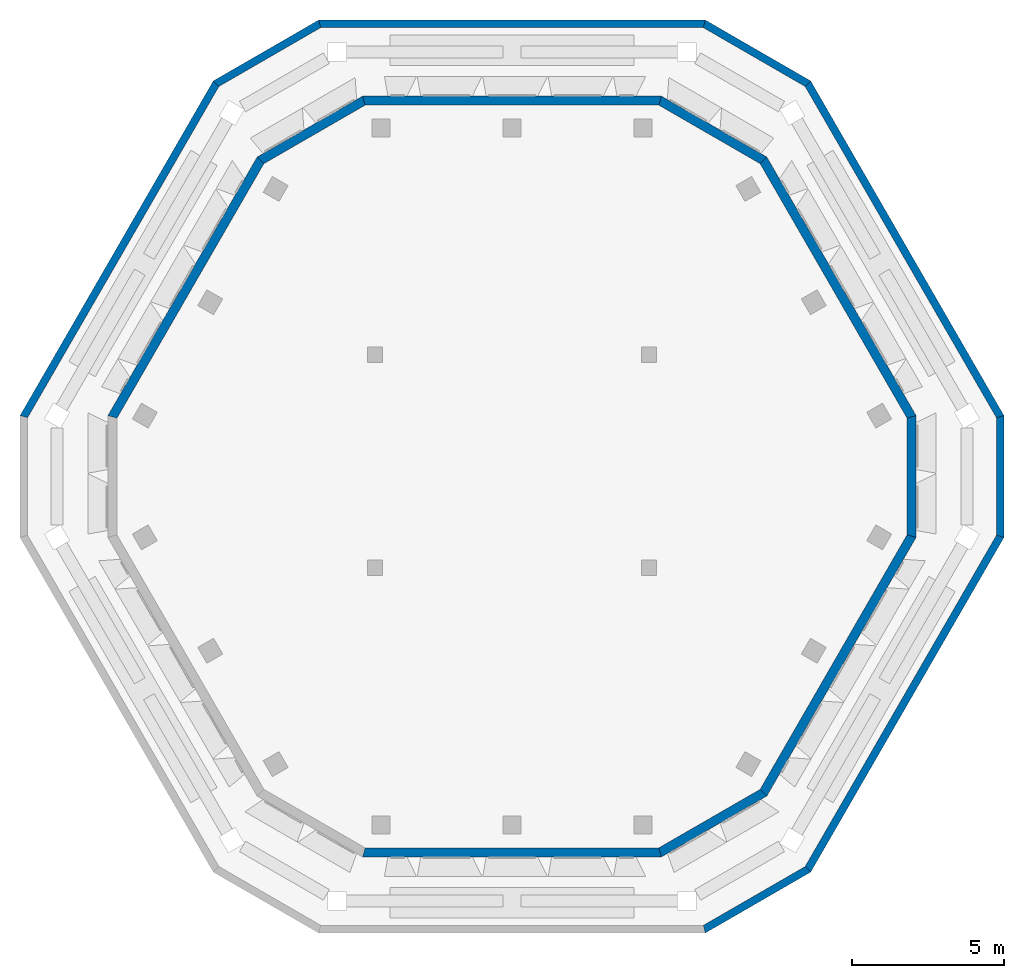
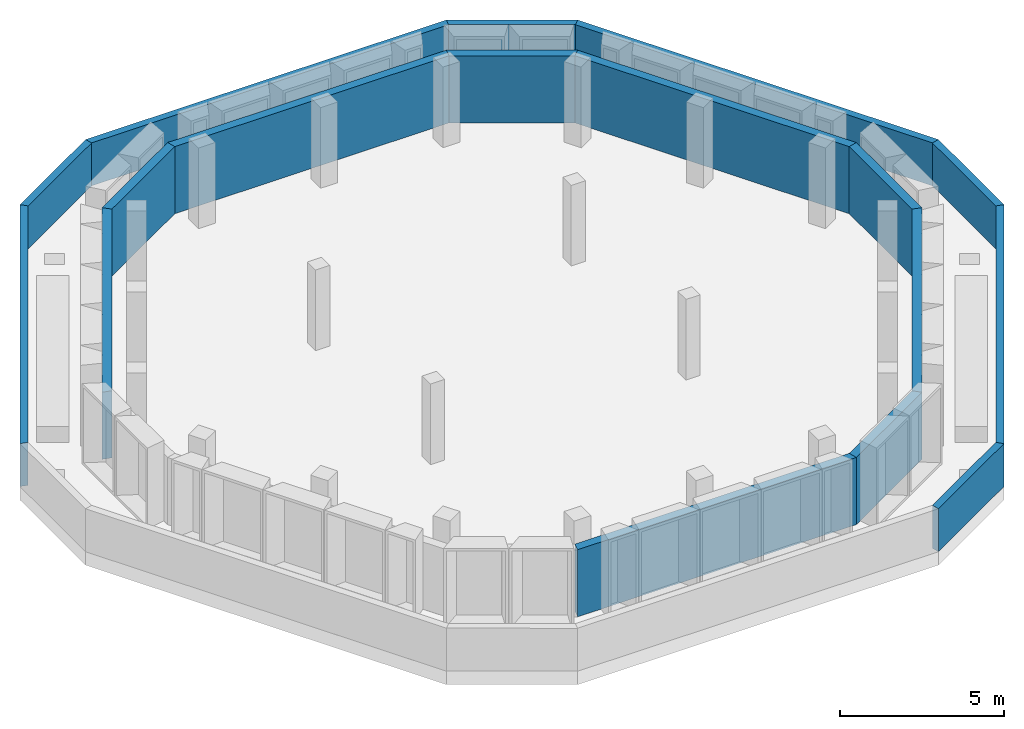
# One storey, part 2 of 4: 17 walls.
"""IFC4 building model written with IfcOpenShell, lengths in metres."""

from ifc_helpers import new_model, si_unit, direction, frame, origin, place, context, subcontext, project, spatial, polyline, outline, extrude, material, layer, layer_set, type_object, element, save


model = new_model("IFC4")

# Units and contexts
model_context = context("Model", 3, precision=1e-05, world=origin(), true_north=direction((0.0, 1.0)))
body_context = subcontext(model_context, "Body", "Model", "MODEL_VIEW")
ifc_project = project(units=[si_unit("LENGTHUNIT", "METRE"), si_unit("AREAUNIT", "SQUARE_METRE"), si_unit("VOLUMEUNIT", "CUBIC_METRE"), si_unit("PLANEANGLEUNIT", "RADIAN"), si_unit("MASSUNIT", "GRAM", prefix="KILO")], contexts=[model_context])

# Site, building, storey
site_placement = place(None, origin())
site = spatial("IfcSite", under=ifc_project, at=site_placement, CompositionType="ELEMENT")
building_placement = place(site_placement, origin())
building = spatial("IfcBuilding", under=site, at=building_placement, Name="Beryl Residences", CompositionType="ELEMENT")
storey_placement = place(building_placement, frame((0.0, 0.0, 253.800048828125)))
storey = spatial("IfcBuildingStorey", under=building, at=storey_placement, Name="L79", CompositionType="ELEMENT", Elevation=253.800048828125)

# Walls
ifc_material_1 = material(Name="Composite metal panel with mineral wool insulation")
ifc_layer_1 = layer(ifc_material_1, 0.300048828125)
ifc_layer_set_1 = layer_set([ifc_layer_1], Name="ES1 pale metal composite panel wall 300 mm")
wall_type_1 = type_object("IfcWallType", Name="ES1 pale metal composite panel wall 300 mm", PredefinedType="SOLIDWALL", material=ifc_layer_set_1)
wall_1_placement = place(storey_placement, frame((4.907958984375, 12.35009765625, 0.0), z_axis=(0.0, 0.0, 1.0), x_axis=(-1.0, 0.0, 0.0)))
element("IfcWall", 1, at=wall_1_placement, inside=storey, type_object=wall_type_1, Name="ES1 external wall L79 N", PredefinedType="SOLIDWALL", context=body_context, shape_type="SweptSolid", body=[
    extrude(outline(polyline([(0.0, -0.14990234375), (9.81591796875, -0.14990234375), (9.735595703125, 0.14990234375), (0.080322265625, 0.14990234375), (0.0, -0.14990234375)])), origin(), (0.0, 0.0, 1.0), 2.5),
])
wall_2_placement = place(storey_placement, frame((-4.8330078125, 12.3701171875, 0.0), z_axis=(0.0, 0.0, 1.0), x_axis=(-0.866026010844, -0.49999894854, 0.0)))
element("IfcWall", 2, at=wall_2_placement, inside=storey, type_object=wall_type_1, Name="ES1 external wall L79 N-NW", PredefinedType="SOLIDWALL", context=body_context, shape_type="SweptSolid", body=[
    extrude(outline(polyline([(0.0, -0.14990234375), (4.0, -0.14990234375), (3.919677734375, 0.14990234375), (0.080322265625, 0.14990234375), (0.0, -0.14990234375)])), origin(), (0.0, 0.0, 1.0), 2.5),
])
wall_3_placement = place(storey_placement, frame((-8.241943359375, 10.425048828125, 0.0), z_axis=(0.0, 0.0, 1.0), x_axis=(-0.499962183858, -0.866047235843, 0.0)))
element("IfcWall", 3, at=wall_3_placement, inside=storey, type_object=wall_type_1, Name="ES1 external wall L79 NW", PredefinedType="SOLIDWALL", context=body_context, shape_type="SweptSolid", body=[
    extrude(outline(polyline([(0.0, -0.14990234375), (9.814697265625, -0.14990234375), (9.734375, 0.14990234375), (0.080322265625, 0.14990234375), (0.0, -0.14990234375)])), origin(), (0.0, 0.0, 1.0), 2.5),
])
wall_4_placement = place(storey_placement, frame((-4.907958984375, -12.35009765625, 0.0), z_axis=(0.0, 0.0, 1.0), x_axis=(1.0, 0.0, 0.0)))
element("IfcWall", 4, at=wall_4_placement, inside=storey, type_object=wall_type_1, Name="ES1 external wall L79 S", PredefinedType="SOLIDWALL", context=body_context, shape_type="SweptSolid", body=[
    extrude(outline(polyline([(0.0, -0.14990234375), (9.81591796875, -0.14990234375), (9.735595703125, 0.14990234375), (0.080322265625, 0.14990234375), (0.0, -0.14990234375)])), origin(), (0.0, 0.0, 1.0), 2.5),
])
wall_5_placement = place(storey_placement, frame((4.8330078125, -12.3701171875, 0.0), z_axis=(0.0, 0.0, 1.0), x_axis=(0.866026010844, 0.49999894854, 0.0)))
element("IfcWall", 5, at=wall_5_placement, inside=storey, type_object=wall_type_1, Name="ES1 external wall L79 S-SE", PredefinedType="SOLIDWALL", context=body_context, shape_type="SweptSolid", body=[
    extrude(outline(polyline([(0.0, -0.14990234375), (4.0, -0.14990234375), (3.919677734375, 0.14990234375), (0.080322265625, 0.14990234375), (0.0, -0.14990234375)])), origin(), (0.0, 0.0, 1.0), 2.5),
])
wall_6_placement = place(storey_placement, frame((8.241943359375, -10.425048828125, 0.0), z_axis=(0.0, 0.0, 1.0), x_axis=(0.499962183858, 0.866047235843, 0.0)))
element("IfcWall", 6, at=wall_6_placement, inside=storey, type_object=wall_type_1, Name="ES1 external wall L79 SE", PredefinedType="SOLIDWALL", context=body_context, shape_type="SweptSolid", body=[
    extrude(outline(polyline([(0.0, -0.14990234375), (9.814697265625, -0.14990234375), (9.734375, 0.14990234375), (0.080322265625, 0.14990234375), (0.0, -0.14990234375)])), origin(), (0.0, 0.0, 1.0), 2.5),
])
wall_7_placement = place(storey_placement, frame((13.12890625, -2.0, 0.0), z_axis=(0.0, 0.0, 1.0), x_axis=(0.0, 1.0, 0.0)))
element("IfcWall", 7, at=wall_7_placement, inside=storey, type_object=wall_type_1, Name="ES1 external wall L79 SE-NE", PredefinedType="SOLIDWALL", context=body_context, shape_type="SweptSolid", body=[
    extrude(outline(polyline([(0.0, -0.14990234375), (4.0, -0.14990234375), (3.919677734375, 0.14990234375), (0.080322265625, 0.14990234375), (0.0, -0.14990234375)])), origin(), (0.0, 0.0, 1.0), 2.5),
])
wall_8_placement = place(storey_placement, frame((13.14892578125, 1.925048828125, 0.0), z_axis=(0.0, 0.0, 1.0), x_axis=(-0.499962183858, 0.866047235843, 0.0)))
element("IfcWall", 8, at=wall_8_placement, inside=storey, type_object=wall_type_1, Name="ES1 external wall L79 NE", PredefinedType="SOLIDWALL", context=body_context, shape_type="SweptSolid", body=[
    extrude(outline(polyline([(0.0, -0.14990234375), (9.814697265625, -0.14990234375), (9.734375, 0.14990234375), (0.080322265625, 0.14990234375), (0.0, -0.14990234375)])), origin(), (0.0, 0.0, 1.0), 2.5),
])
wall_9_placement = place(storey_placement, frame((8.297119140625, 10.3701171875, 0.0), z_axis=(0.0, 0.0, 1.0), x_axis=(-0.866026010844, 0.49999894854, 0.0)))
element("IfcWall", 9, at=wall_9_placement, inside=storey, type_object=wall_type_1, Name="ES1 external wall L79 NE-N", PredefinedType="SOLIDWALL", context=body_context, shape_type="SweptSolid", body=[
    extrude(outline(polyline([(0.0, -0.14990234375), (4.0, -0.14990234375), (3.919677734375, 0.14990234375), (0.080322265625, 0.14990234375), (0.0, -0.14990234375)])), origin(), (0.0, 0.0, 1.0), 2.5),
])
ifc_material_2 = material(Name="Precast concrete C40/50", Category="concrete")
ifc_layer_2 = layer(ifc_material_2, 0.25)
ifc_layer_set_2 = layer_set([ifc_layer_2], Name="PA1 roof parapet 250 mm")
wall_type_2 = type_object("IfcWallType", Name="PA1 roof parapet 250 mm", PredefinedType="PARAPET", material=ifc_layer_set_2)
wall_10_placement = place(storey_placement, frame((6.2890625, 14.89208984375, 0.0), z_axis=(0.0, 0.0, 1.0), x_axis=(0.865843918487, -0.50031421009, 0.0)))
element("IfcWall", 10, at=wall_10_placement, inside=storey, type_object=wall_type_2, Name="PA1 parapet L79 strip 1", PredefinedType="PARAPET", context=body_context, shape_type="SweptSolid", body=[
    extrude(outline(polyline([(0.067138671875, -0.125), (3.9326171875, -0.125), (3.99951171875, 0.125), (0.0, 0.125), (0.067138671875, -0.125)])), origin(), (0.0, 0.0, 1.0), 1.599853515625),
])
wall_11_placement = place(storey_placement, frame((9.7060546875, 12.93701171875, 0.0), z_axis=(0.0, 0.0, 1.0), x_axis=(0.500104018228, -0.865965340503, 0.0)))
element("IfcWall", 11, at=wall_11_placement, inside=storey, type_object=wall_type_2, Name="PA1 parapet L79 strip 2", PredefinedType="PARAPET", context=body_context, shape_type="SweptSolid", body=[
    extrude(outline(polyline([(0.06689453125, -0.125), (12.634521484375, -0.125), (12.701416015625, 0.125), (0.0, 0.125), (0.06689453125, -0.125)])), origin(), (0.0, 0.0, 1.0), 1.599853515625),
])
wall_12_placement = place(storey_placement, frame((16.041015625, 2.0, 0.0), z_axis=(0.0, 0.0, 1.0), x_axis=(0.0, -1.0, 0.0)))
element("IfcWall", 12, at=wall_12_placement, inside=storey, type_object=wall_type_2, Name="PA1 parapet L79 strip 3", PredefinedType="PARAPET", context=body_context, shape_type="SweptSolid", body=[
    extrude(outline(polyline([(0.06689453125, -0.125), (3.93310546875, -0.125), (4.0, 0.125), (0.0, 0.125), (0.06689453125, -0.125)])), origin(), (0.0, 0.0, 1.0), 1.599853515625),
])
wall_13_placement = place(storey_placement, frame((16.05810546875, -1.93798828125, 0.0), z_axis=(0.0, 0.0, 1.0), x_axis=(-0.500104018228, -0.865965340503, 0.0)))
element("IfcWall", 13, at=wall_13_placement, inside=storey, type_object=wall_type_2, Name="PA1 parapet L79 strip 4", PredefinedType="PARAPET", context=body_context, shape_type="SweptSolid", body=[
    extrude(outline(polyline([(0.06689453125, -0.125), (12.634521484375, -0.125), (12.701416015625, 0.125), (0.0, 0.125), (0.06689453125, -0.125)])), origin(), (0.0, 0.0, 1.0), 1.599853515625),
])
wall_14_placement = place(storey_placement, frame((9.751953125, -12.89111328125, 0.0), z_axis=(0.0, 0.0, 1.0), x_axis=(-0.865843918487, -0.50031421009, 0.0)))
element("IfcWall", 14, at=wall_14_placement, inside=storey, type_object=wall_type_2, Name="PA1 parapet L79 strip 5", PredefinedType="PARAPET", context=body_context, shape_type="SweptSolid", body=[
    extrude(outline(polyline([(0.06689453125, -0.125), (3.932373046875, -0.125), (3.99951171875, 0.125), (0.0, 0.125), (0.06689453125, -0.125)])), origin(), (0.0, 0.0, 1.0), 1.599853515625),
])
wall_15_placement = place(storey_placement, frame((-16.05810546875, 1.93798828125, 0.0), z_axis=(0.0, 0.0, 1.0), x_axis=(0.500104018228, 0.865965340503, 0.0)))
element("IfcWall", 15, at=wall_15_placement, inside=storey, type_object=wall_type_2, Name="PA1 parapet L79 strip 10", PredefinedType="PARAPET", context=body_context, shape_type="SweptSolid", body=[
    extrude(outline(polyline([(0.06689453125, -0.125), (12.634521484375, -0.125), (12.701416015625, 0.125), (0.0, 0.125), (0.06689453125, -0.125)])), origin(), (0.0, 0.0, 1.0), 1.599853515625),
])
wall_16_placement = place(storey_placement, frame((-9.751953125, 12.89111328125, 0.0), z_axis=(0.0, 0.0, 1.0), x_axis=(0.865843918487, 0.50031421009, 0.0)))
element("IfcWall", 16, at=wall_16_placement, inside=storey, type_object=wall_type_2, Name="PA1 parapet L79 strip 11", PredefinedType="PARAPET", context=body_context, shape_type="SweptSolid", body=[
    extrude(outline(polyline([(0.06689453125, -0.125), (3.932373046875, -0.125), (3.99951171875, 0.125), (0.0, 0.125), (0.06689453125, -0.125)])), origin(), (0.0, 0.0, 1.0), 1.599853515625),
])
wall_17_placement = place(storey_placement, frame((-6.35205078125, 14.875, 0.0), z_axis=(0.0, 0.0, 1.0), x_axis=(1.0, 0.0, 0.0)))
element("IfcWall", 17, at=wall_17_placement, inside=storey, type_object=wall_type_2, Name="PA1 parapet L79 strip 12", PredefinedType="PARAPET", context=body_context, shape_type="SweptSolid", body=[
    extrude(outline(polyline([(0.067138671875, -0.125), (12.636962890625, -0.125), (12.7041015625, 0.125), (0.0, 0.125), (0.067138671875, -0.125)])), origin(), (0.0, 0.0, 1.0), 1.599853515625),
])

save(model, "model.ifc")
